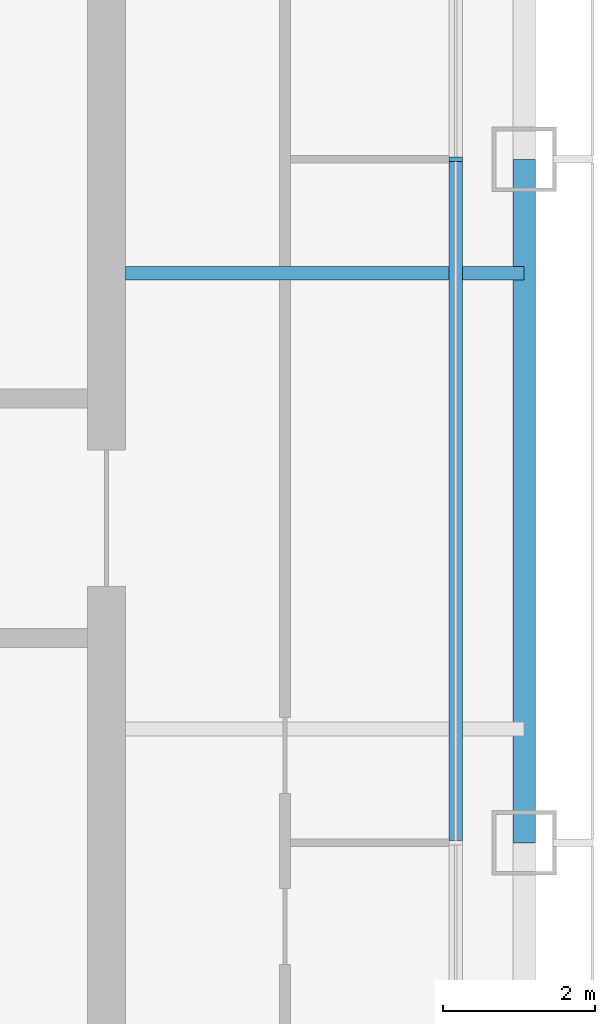
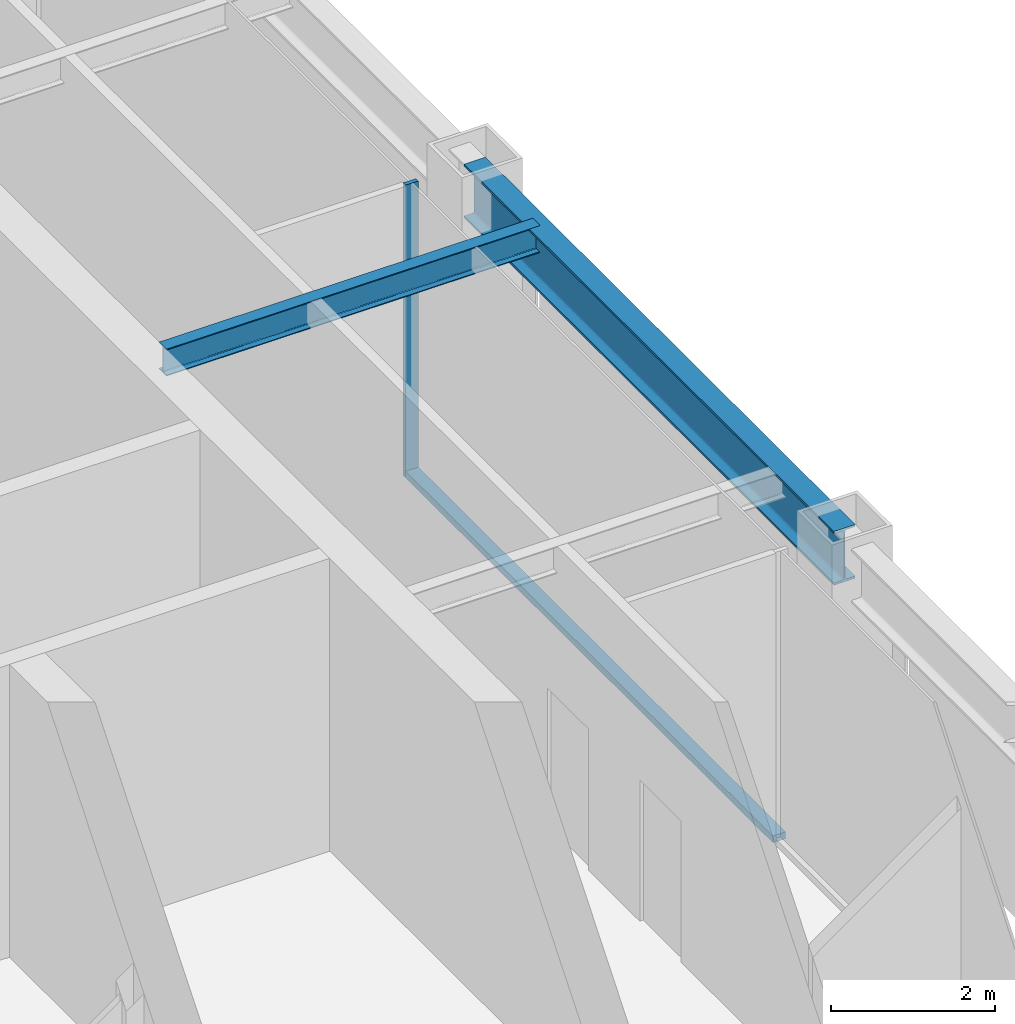
# One storey, part 5 of 23: 2 beams, 2 members, 1 element without a shape of its own.
"""IFC4 building model written with IfcOpenShell, lengths in metres."""

from ifc_helpers import new_model, si_unit, direction, frame, origin, origin_2d, place, context, subcontext, project, spatial, rectangle, i_section, extrude, material, layer, layer_set, material_profile, profile_set, type_object, element, aggregate, save


model = new_model("IFC4")

# Units and contexts
model_context = context("Model", 3, precision=1e-05, world=origin(), true_north=direction((0.0, 1.0)))
body_context = subcontext(model_context, "Body", "Model", "MODEL_VIEW")
ifc_project = project(units=[si_unit("LENGTHUNIT", "METRE"), si_unit("AREAUNIT", "SQUARE_METRE"), si_unit("VOLUMEUNIT", "CUBIC_METRE"), si_unit("PLANEANGLEUNIT", "RADIAN"), si_unit("MASSUNIT", "GRAM", prefix="KILO")], contexts=[model_context])

# Site, building, storey
site_placement = place(None, origin())
site = spatial("IfcSite", under=ifc_project, at=site_placement, CompositionType="ELEMENT")
building_placement = place(site_placement, origin())
building = spatial("IfcBuilding", under=site, at=building_placement, Name="Siwar Civic Tower", CompositionType="ELEMENT")
storey_placement = place(building_placement, frame((0.0, 0.0, 233.199951171875)))
storey = spatial("IfcBuildingStorey", under=building, at=storey_placement, Name="L50", CompositionType="ELEMENT", Elevation=233.199951171875)

# Curtain wall, members
ifc_material_1 = material(Name="Aluminium and glass", Category="aluminium")
ifc_layer = layer(ifc_material_1, 0.179931640625)
ifc_layer_set = layer_set([ifc_layer], Name="Aluminium and glass")
curtain_wall_type = type_object("IfcCurtainWallType", Name="ENV-CW-C", PredefinedType="NOTDEFINED", material=ifc_layer_set)
curtain_wall_placement = place(storey_placement, origin())
curtain_wall = element("IfcCurtainWall", 1, at=curtain_wall_placement, inside=storey, type_object=curtain_wall_type, Name="Curtain wall C E", PredefinedType="NOTDEFINED")
ifc_material_2 = material(Name="Aluminium 6063-T6", Category="aluminium")
ifc_material_profile_1 = material_profile(ifc_material_2, rectangle(XDim=0.179931640625, YDim=0.06005859375, at=origin_2d()), Name="AL 180x60")
ifc_profile_set_1 = profile_set([ifc_material_profile_1], Name="Aluminium 6063-T6")
member_type_1 = type_object("IfcMemberType", Name="ENV-MULLION-C", PredefinedType="MULLION", material=ifc_profile_set_1)
member_1_placement = place(storey_placement, frame((26.10009765625, 0.0, 0.0), z_axis=(0.0, 0.0, 1.0), x_axis=(-1.0, 0.0, 0.0)))
member_1 = element("IfcMember", 2, at=member_1_placement, type_object=member_type_1, Name="Mullion C E 3", PredefinedType="MULLION", context=body_context, shape_type="SweptSolid", body=[
    extrude(rectangle(XDim=0.179931640625, YDim=0.06005859375, at=origin_2d()), origin(), (0.0, 0.0, 1.0), 4.35009765625),
])
ifc_material_3 = material(Name="Aluminium 6063-T6", Category="aluminium")
ifc_material_profile_2 = material_profile(ifc_material_3, rectangle(XDim=0.179931640625, YDim=0.10009765625, at=origin_2d()), Name="AL 180x100")
ifc_profile_set_2 = profile_set([ifc_material_profile_2], Name="Aluminium 6063-T6")
member_type_2 = type_object("IfcMemberType", Name="ENV-TRANSOM-C", PredefinedType="USERDEFINED", material=ifc_profile_set_2)
member_2_placement = place(storey_placement, frame((26.10009765625, -8.969970703125, 0.050048828125), z_axis=(0.0, 1.0, 0.0), x_axis=(-1.0, 0.0, 0.0)))
member_2 = element("IfcMember", 3, at=member_2_placement, type_object=member_type_2, Name="Transom C E 2", ObjectType="TRANSOM", PredefinedType="USERDEFINED", context=body_context, shape_type="SweptSolid", body=[
    extrude(rectangle(XDim=0.179931640625, YDim=0.10009765625, at=origin_2d()), origin(), (0.0, 0.0, 1.0), 8.93994140625),
])
aggregate(curtain_wall, [member_1, member_2])

# Beams
ifc_material_4 = material(Name="Steel S355", Category="steel")
ifc_material_profile_3 = material_profile(ifc_material_4, i_section(OverallWidth=0.179931640625, OverallDepth=0.39990234375, WebThickness=0.008544921875, FlangeThickness=0.013427734375, FilletRadius=0.02099609375, at=origin_2d()), Name="IPE400")
ifc_profile_set_3 = profile_set([ifc_material_profile_3], Name="Steel S355")
beam_type_1 = type_object("IfcBeamType", Name="STR-FB-IPE400", PredefinedType="JOIST", material=ifc_profile_set_3)
beam_1_placement = place(storey_placement, frame((21.75, -1.5, 4.150146484375), z_axis=(1.0, 0.0, 0.0), x_axis=(0.0, 1.0, 0.0)))
element("IfcBeam", 4, at=beam_1_placement, inside=storey, type_object=beam_type_1, Name="L50/bm/F024", PredefinedType="JOIST", context=body_context, shape_type="SweptSolid", body=[
    extrude(i_section(OverallWidth=0.179931640625, OverallDepth=0.39990234375, WebThickness=0.008544921875, FlangeThickness=0.013427734375, FilletRadius=0.02099609375, at=origin_2d()), origin(), (0.0, 0.0, 1.0), 5.25),
])
ifc_material_5 = material(Name="Steel S355", Category="steel")
ifc_material_profile_4 = material_profile(ifc_material_5, i_section(OverallWidth=0.300048828125, OverallDepth=0.800048828125, WebThickness=0.017578125, FlangeThickness=0.032958984375, FilletRadius=0.030029296875, at=origin_2d()), Name="HEB800")
ifc_profile_set_4 = profile_set([ifc_material_profile_4], Name="Steel S355")
beam_type_2 = type_object("IfcBeamType", Name="STR-SB-HEB800", PredefinedType="BEAM", material=ifc_profile_set_4)
beam_2_placement = place(storey_placement, frame((27.0, -9.0, 3.949951171875), z_axis=(0.0, 1.0, 0.0), x_axis=(-1.0, 0.0, 0.0)))
element("IfcBeam", 5, at=beam_2_placement, inside=storey, type_object=beam_type_2, Name="L50/bm/SE-1", PredefinedType="BEAM", context=body_context, shape_type="SweptSolid", body=[
    extrude(i_section(OverallWidth=0.300048828125, OverallDepth=0.800048828125, WebThickness=0.017578125, FlangeThickness=0.032958984375, FilletRadius=0.030029296875, at=origin_2d()), origin(), (0.0, 0.0, 1.0), 9.0),
])

save(model, "model.ifc")
